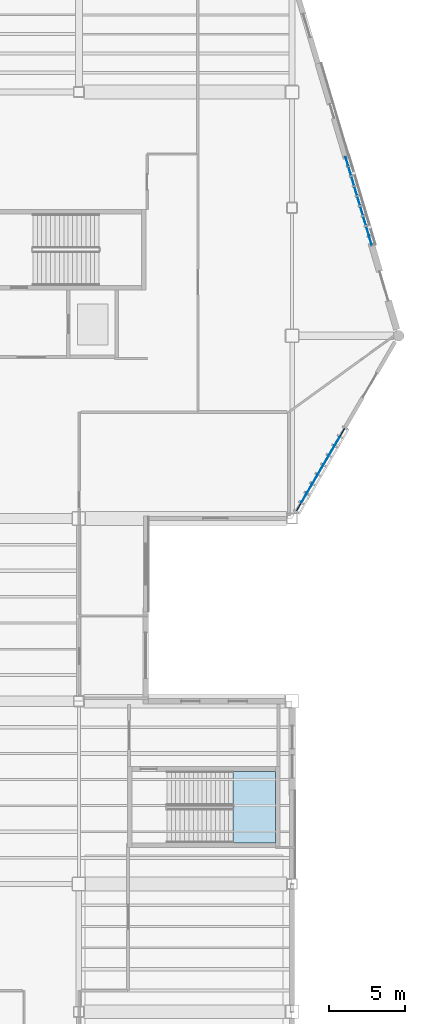
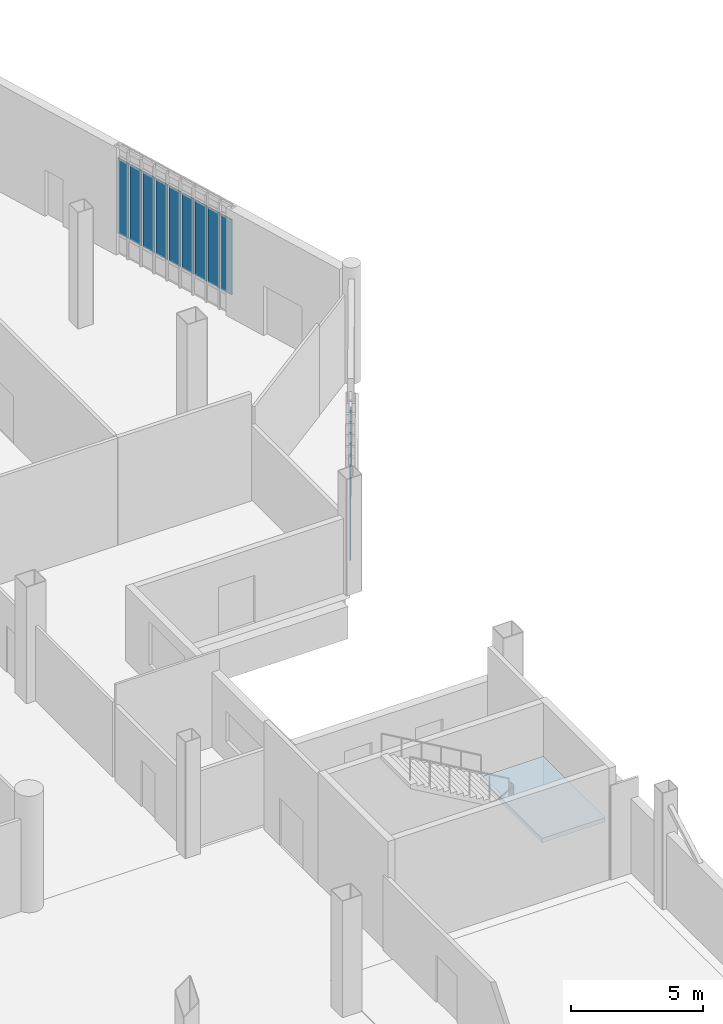
# One storey, part 70 of 111: 18 plates, 1 slab, 3 elements without a shape of their own.
"""IFC4 building model written with IfcOpenShell, lengths in metres."""

from ifc_helpers import new_model, si_unit, direction, frame, origin, origin_2d, place, context, subcontext, project, spatial, polyline, rectangle, outline, extrude, material, layer, layer_set, type_object, element, aggregate, save


model = new_model("IFC4")

# Units and contexts
model_context = context("Model", 3, precision=1e-05, world=origin(), true_north=direction((0.0, 1.0)))
body_context = subcontext(model_context, "Body", "Model", "MODEL_VIEW")
ifc_project = project(units=[si_unit("LENGTHUNIT", "METRE"), si_unit("AREAUNIT", "SQUARE_METRE"), si_unit("VOLUMEUNIT", "CUBIC_METRE"), si_unit("PLANEANGLEUNIT", "RADIAN"), si_unit("MASSUNIT", "GRAM", prefix="KILO")], contexts=[model_context])

# Site, building, storey
site_placement = place(None, origin())
site = spatial("IfcSite", under=ifc_project, at=site_placement, CompositionType="ELEMENT")
building_placement = place(site_placement, origin())
building = spatial("IfcBuilding", under=site, at=building_placement, Name="Larkvane Passage Sports Hall", CompositionType="ELEMENT")
storey_placement = place(building_placement, origin())
storey = spatial("IfcBuildingStorey", under=building, at=storey_placement, Name="L00", CompositionType="ELEMENT", Elevation=0.0)

# Curtain wall, plates
ifc_material_1 = material(Name="Thermally broken aluminium and low-E glazing", Category="aluminium")
curtain_wall_type_1 = type_object("IfcCurtainWallType", Name="CW-STICK-FOYER", PredefinedType="USERDEFINED", material=ifc_material_1)
curtain_wall_1_placement = place(storey_placement, origin())
curtain_wall_1 = element("IfcCurtainWall", 1, at=curtain_wall_1_placement, inside=storey, type_object=curtain_wall_type_1, Name="Curtain wall CW5-L00-022", ObjectType="STICK CURTAIN WALL", PredefinedType="USERDEFINED")
ifc_material_2 = material(Name="High-impact court low-E glazing", Category="glass")
ifc_layer_1 = layer(ifc_material_2, 0.035888671875)
ifc_layer_set_1 = layer_set([ifc_layer_1], Name="High-impact court low-E glazing")
plate_type_1 = type_object("IfcPlateType", Name="CWP-VIS-36", PredefinedType="CURTAIN_PANEL", material=ifc_layer_set_1)
plate_1_placement = place(storey_placement, frame((149.202880859375, 87.052978515625, 0.889892578125), z_axis=(0.0, 0.0, 1.0), x_axis=(0.284364947432, -0.958716108487, 0.0)))
plate_1 = element("IfcPlate", 2, at=plate_1_placement, type_object=plate_type_1, Name="CW-03 panel 1.2", PredefinedType="CURTAIN_PANEL", context=body_context, shape_type="SweptSolid", body=[
    extrude(rectangle(XDim=0.563720703125, YDim=0.035888671875, at=origin_2d()), origin(), (0.0, 0.0, 1.0), 3.5),
])
plate_2_placement = place(storey_placement, frame((149.3916015625, 86.416748046875, 0.889892578125), z_axis=(0.0, 0.0, 1.0), x_axis=(0.284364947432, -0.958716108487, 0.0)))
plate_2 = element("IfcPlate", 3, at=plate_2_placement, type_object=plate_type_1, Name="CW-03 panel 2.2", PredefinedType="CURTAIN_PANEL", context=body_context, shape_type="SweptSolid", body=[
    extrude(rectangle(XDim=0.603759765625, YDim=0.035888671875, at=origin_2d()), origin(), (0.0, 0.0, 1.0), 3.5),
])
plate_3_placement = place(storey_placement, frame((149.586181640625, 85.76123046875, 0.889892578125), z_axis=(0.0, 0.0, 1.0), x_axis=(0.284364947432, -0.958716108487, 0.0)))
plate_3 = element("IfcPlate", 4, at=plate_3_placement, type_object=plate_type_1, Name="CW-03 panel 3.2", PredefinedType="CURTAIN_PANEL", context=body_context, shape_type="SweptSolid", body=[
    extrude(rectangle(XDim=0.603759765625, YDim=0.035888671875, at=origin_2d()), origin(), (0.0, 0.0, 1.0), 3.5),
])
plate_4_placement = place(storey_placement, frame((149.780517578125, 85.10546875, 0.889892578125), z_axis=(0.0, 0.0, 1.0), x_axis=(0.284364947432, -0.958716108487, 0.0)))
plate_4 = element("IfcPlate", 5, at=plate_4_placement, type_object=plate_type_1, Name="CW-03 panel 4.2", PredefinedType="CURTAIN_PANEL", context=body_context, shape_type="SweptSolid", body=[
    extrude(rectangle(XDim=0.603759765625, YDim=0.035888671875, at=origin_2d()), origin(), (0.0, 0.0, 1.0), 3.5),
])
plate_5_placement = place(storey_placement, frame((149.97509765625, 84.449951171875, 0.889892578125), z_axis=(0.0, 0.0, 1.0), x_axis=(0.284364947432, -0.958716108487, 0.0)))
plate_5 = element("IfcPlate", 6, at=plate_5_placement, type_object=plate_type_1, Name="CW-03 panel 5.2", PredefinedType="CURTAIN_PANEL", context=body_context, shape_type="SweptSolid", body=[
    extrude(rectangle(XDim=0.603759765625, YDim=0.035888671875, at=origin_2d()), origin(), (0.0, 0.0, 1.0), 3.5),
])
plate_6_placement = place(storey_placement, frame((150.16943359375, 83.79443359375, 0.889892578125), z_axis=(0.0, 0.0, 1.0), x_axis=(0.284364947432, -0.958716108487, 0.0)))
plate_6 = element("IfcPlate", 7, at=plate_6_placement, type_object=plate_type_1, Name="CW-03 panel 6.2", PredefinedType="CURTAIN_PANEL", context=body_context, shape_type="SweptSolid", body=[
    extrude(rectangle(XDim=0.603759765625, YDim=0.035888671875, at=origin_2d()), origin(), (0.0, 0.0, 1.0), 3.5),
])
plate_7_placement = place(storey_placement, frame((150.36376953125, 83.138916015625, 0.889892578125), z_axis=(0.0, 0.0, 1.0), x_axis=(0.284364947432, -0.958716108487, 0.0)))
plate_7 = element("IfcPlate", 8, at=plate_7_placement, type_object=plate_type_1, Name="CW-03 panel 7.2", PredefinedType="CURTAIN_PANEL", context=body_context, shape_type="SweptSolid", body=[
    extrude(rectangle(XDim=0.603759765625, YDim=0.035888671875, at=origin_2d()), origin(), (0.0, 0.0, 1.0), 3.5),
])
plate_8_placement = place(storey_placement, frame((150.558349609375, 82.4833984375, 0.889892578125), z_axis=(0.0, 0.0, 1.0), x_axis=(0.284364947432, -0.958716108487, 0.0)))
plate_8 = element("IfcPlate", 9, at=plate_8_placement, type_object=plate_type_1, Name="CW-03 panel 8.2", PredefinedType="CURTAIN_PANEL", context=body_context, shape_type="SweptSolid", body=[
    extrude(rectangle(XDim=0.603759765625, YDim=0.035888671875, at=origin_2d()), origin(), (0.0, 0.0, 1.0), 3.5),
])
plate_9_placement = place(storey_placement, frame((150.7470703125, 81.846923828125, 0.889892578125), z_axis=(0.0, 0.0, 1.0), x_axis=(0.284364947432, -0.958716108487, 0.0)))
plate_9 = element("IfcPlate", 10, at=plate_9_placement, type_object=plate_type_1, Name="CW-03 panel 9.2", PredefinedType="CURTAIN_PANEL", context=body_context, shape_type="SweptSolid", body=[
    extrude(rectangle(XDim=0.563720703125, YDim=0.035888671875, at=origin_2d()), origin(), (0.0, 0.0, 1.0), 3.5),
])
aggregate(curtain_wall_1, [plate_1, plate_2, plate_3, plate_4, plate_5, plate_6, plate_7, plate_8, plate_9])

curtain_wall_type_2 = type_object("IfcCurtainWallType", Name="CW-CLINIC", PredefinedType="USERDEFINED", material=ifc_material_1)
curtain_wall_2_placement = place(storey_placement, origin())
curtain_wall_2 = element("IfcCurtainWall", 11, at=curtain_wall_2_placement, inside=storey, type_object=curtain_wall_type_2, Name="Curtain wall CW5-L00-023", ObjectType="UNITISED CURTAIN WALL", PredefinedType="USERDEFINED")
ifc_material_3 = material(Name="Triple-laminated typhoon glazing", Category="glass")
ifc_layer_2 = layer(ifc_material_3, 0.0419921875)
ifc_layer_set_2 = layer_set([ifc_layer_2], Name="Triple-laminated typhoon glazing")
plate_type_2 = type_object("IfcPlateType", Name="CWP-VIS-42", PredefinedType="CURTAIN_PANEL", material=ifc_layer_set_2)
plate_10_placement = place(storey_placement, frame((148.905029296875, 69.265625, 0.905029296875), z_axis=(0.0, 0.0, 1.0), x_axis=(-0.503867182467, -0.86378114267, 0.0)))
plate_10 = element("IfcPlate", 12, at=plate_10_placement, type_object=plate_type_2, Name="CW-05 panel 1.2", PredefinedType="CURTAIN_PANEL", context=body_context, shape_type="SweptSolid", body=[
    extrude(rectangle(XDim=0.553955078125, YDim=0.0419921875, at=origin_2d()), origin(), (0.0, 0.0, 1.0), 2.76611328125),
])
plate_11_placement = place(storey_placement, frame((148.556640625, 68.668212890625, 0.905029296875), z_axis=(0.0, 0.0, 1.0), x_axis=(-0.503867182467, -0.86378114267, 0.0)))
plate_11 = element("IfcPlate", 13, at=plate_11_placement, type_object=plate_type_2, Name="CW-05 panel 2.2", PredefinedType="CURTAIN_PANEL", context=body_context, shape_type="SweptSolid", body=[
    extrude(rectangle(XDim=0.609130859375, YDim=0.0419921875, at=origin_2d()), origin(), (0.0, 0.0, 1.0), 2.76611328125),
])
plate_12_placement = place(storey_placement, frame((148.1943359375, 68.047119140625, 0.905029296875), z_axis=(0.0, 0.0, 1.0), x_axis=(-0.503867182467, -0.86378114267, 0.0)))
plate_12 = element("IfcPlate", 14, at=plate_12_placement, type_object=plate_type_2, Name="CW-05 panel 3.2", PredefinedType="CURTAIN_PANEL", context=body_context, shape_type="SweptSolid", body=[
    extrude(rectangle(XDim=0.609130859375, YDim=0.0419921875, at=origin_2d()), origin(), (0.0, 0.0, 1.0), 2.76611328125),
])
plate_13_placement = place(storey_placement, frame((147.83203125, 67.426025390625, 0.905029296875), z_axis=(0.0, 0.0, 1.0), x_axis=(-0.503867182467, -0.86378114267, 0.0)))
plate_13 = element("IfcPlate", 15, at=plate_13_placement, type_object=plate_type_2, Name="CW-05 panel 4.2", PredefinedType="CURTAIN_PANEL", context=body_context, shape_type="SweptSolid", body=[
    extrude(rectangle(XDim=0.609130859375, YDim=0.0419921875, at=origin_2d()), origin(), (0.0, 0.0, 1.0), 2.76611328125),
])
plate_14_placement = place(storey_placement, frame((147.469482421875, 66.804931640625, 0.905029296875), z_axis=(0.0, 0.0, 1.0), x_axis=(-0.503867182467, -0.86378114267, 0.0)))
plate_14 = element("IfcPlate", 16, at=plate_14_placement, type_object=plate_type_2, Name="CW-05 panel 5.2", PredefinedType="CURTAIN_PANEL", context=body_context, shape_type="SweptSolid", body=[
    extrude(rectangle(XDim=0.609130859375, YDim=0.0419921875, at=origin_2d()), origin(), (0.0, 0.0, 1.0), 2.76611328125),
])
plate_15_placement = place(storey_placement, frame((147.107177734375, 66.183837890625, 0.905029296875), z_axis=(0.0, 0.0, 1.0), x_axis=(-0.503867182467, -0.86378114267, 0.0)))
plate_15 = element("IfcPlate", 17, at=plate_15_placement, type_object=plate_type_2, Name="CW-05 panel 6.2", PredefinedType="CURTAIN_PANEL", context=body_context, shape_type="SweptSolid", body=[
    extrude(rectangle(XDim=0.609130859375, YDim=0.0419921875, at=origin_2d()), origin(), (0.0, 0.0, 1.0), 2.76611328125),
])
plate_16_placement = place(storey_placement, frame((146.744873046875, 65.562744140625, 0.905029296875), z_axis=(0.0, 0.0, 1.0), x_axis=(-0.503867182467, -0.86378114267, 0.0)))
plate_16 = element("IfcPlate", 18, at=plate_16_placement, type_object=plate_type_2, Name="CW-05 panel 7.2", PredefinedType="CURTAIN_PANEL", context=body_context, shape_type="SweptSolid", body=[
    extrude(rectangle(XDim=0.609130859375, YDim=0.0419921875, at=origin_2d()), origin(), (0.0, 0.0, 1.0), 2.76611328125),
])
plate_17_placement = place(storey_placement, frame((146.382568359375, 64.941650390625, 0.905029296875), z_axis=(0.0, 0.0, 1.0), x_axis=(-0.503867182467, -0.86378114267, 0.0)))
plate_17 = element("IfcPlate", 19, at=plate_17_placement, type_object=plate_type_2, Name="CW-05 panel 8.2", PredefinedType="CURTAIN_PANEL", context=body_context, shape_type="SweptSolid", body=[
    extrude(rectangle(XDim=0.609130859375, YDim=0.0419921875, at=origin_2d()), origin(), (0.0, 0.0, 1.0), 2.76611328125),
])
plate_18_placement = place(storey_placement, frame((146.0341796875, 64.34423828125, 0.905029296875), z_axis=(0.0, 0.0, 1.0), x_axis=(-0.503867182467, -0.86378114267, 0.0)))
plate_18 = element("IfcPlate", 20, at=plate_18_placement, type_object=plate_type_2, Name="CW-05 panel 9.2", PredefinedType="CURTAIN_PANEL", context=body_context, shape_type="SweptSolid", body=[
    extrude(rectangle(XDim=0.553955078125, YDim=0.0419921875, at=origin_2d()), origin(), (0.0, 0.0, 1.0), 2.76611328125),
])
aggregate(curtain_wall_2, [plate_10, plate_11, plate_12, plate_13, plate_14, plate_15, plate_16, plate_17, plate_18])

# Stair, slab
ifc_material_4 = material(Name="Concrete C40/50", Category="concrete")
stair_type = type_object("IfcStairType", Name="STR-CORE-2250", PredefinedType="HALF_TURN_STAIR", material=ifc_material_4)
stair_placement = place(storey_placement, origin())
stair = element("IfcStair", 21, at=stair_placement, inside=storey, type_object=stair_type, Name="L00 Protected exit stair ST-07", PredefinedType="HALF_TURN_STAIR")
ifc_layer_3 = layer(ifc_material_4, 0.199951171875)
ifc_layer_set_3 = layer_set([ifc_layer_3], Name="Concrete C40/50")
slab_type = type_object("IfcSlabType", Name="SLB-LAND-200", PredefinedType="LANDING", material=ifc_layer_set_3)
slab_placement = place(storey_placement, frame((0.0, 0.0, 2.5)))
slab = element("IfcSlab", 22, at=slab_placement, type_object=slab_type, Name="ST-07 landing 1", PredefinedType="LANDING", context=body_context, shape_type="SweptSolid", body=[
    extrude(outline(polyline([(141.72998046875, 42.300048828125), (144.5, 42.300048828125), (144.5, 47.0), (141.72998046875, 47.0), (141.72998046875, 42.300048828125)])), origin(), (0.0, 0.0, 1.0), 0.199951171875),
])
aggregate(stair, [slab])

save(model, "model.ifc")
